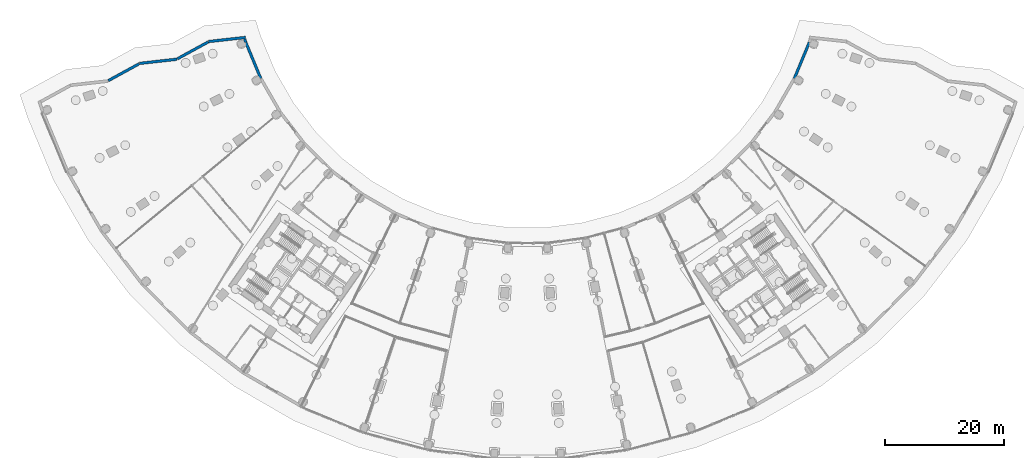
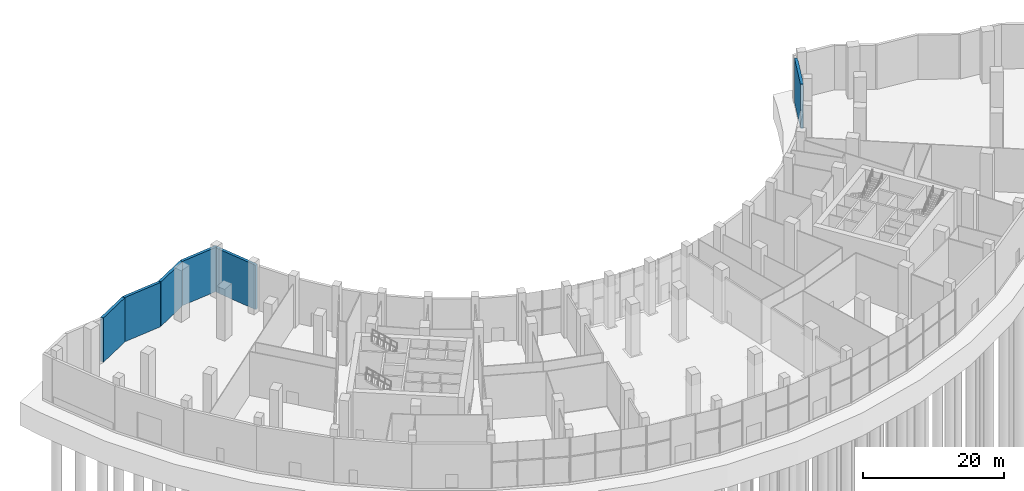
# One storey, part 11 of 23: 7 walls.
"""IFC4 building model written with IfcOpenShell, lengths in metres."""

from ifc_helpers import new_model, si_unit, direction, frame, frame_2d, origin, place, context, subcontext, project, spatial, rectangle, extrude, material, layer, layer_set, type_object, element, save


model = new_model("IFC4")

# Units and contexts
model_context = context("Model", 3, precision=1e-05, world=origin(), true_north=direction((0.0, 1.0)))
body_context = subcontext(model_context, "Body", "Model", "MODEL_VIEW")
ifc_project = project(units=[si_unit("LENGTHUNIT", "METRE"), si_unit("AREAUNIT", "SQUARE_METRE"), si_unit("VOLUMEUNIT", "CUBIC_METRE"), si_unit("PLANEANGLEUNIT", "RADIAN"), si_unit("MASSUNIT", "GRAM", prefix="KILO")], contexts=[model_context])

# Site, building, storey
site_placement = place(None, origin())
site = spatial("IfcSite", under=ifc_project, at=site_placement, CompositionType="ELEMENT")
building_placement = place(site_placement, origin())
building = spatial("IfcBuilding", under=site, at=building_placement, Name="Qamariyya Broadcast Tower", CompositionType="ELEMENT")
storey_placement = place(building_placement, origin())
storey = spatial("IfcBuildingStorey", under=building, at=storey_placement, Name="L00", CompositionType="ELEMENT", Elevation=0.0)

# Walls
ifc_material = material(Name="Precast concrete C40/50 with terracotta facing", Category="masonry")
ifc_layer = layer(ifc_material, 0.449951171875)
ifc_layer_set = layer_set([ifc_layer], Name="Precast concrete C40/50 wall 450, terracotta faced")
wall_type = type_object("IfcWallType", Name="Precast concrete C40/50 wall 450, terracotta faced", PredefinedType="SOLIDWALL", material=ifc_layer_set)
wall_1_placement = place(storey_placement, frame((-47.37255859375, -15.220947265625, 0.0), z_axis=(0.0, 0.0, 1.0), x_axis=(-0.993827533543, -0.110936168908, 0.0)))
element("IfcWall", 1, at=wall_1_placement, inside=storey, type_object=wall_type, Name="e-wl-L00-capW0", PredefinedType="SOLIDWALL", context=body_context, shape_type="SweptSolid", body=[
    extrude(rectangle(XDim=6.265380859375, YDim=0.449951171875, at=frame_2d((3.1328125, 0.0))), origin(), (0.0, 0.0, 1.0), 7.699951171875),
])
wall_2_placement = place(storey_placement, frame((-53.65869140625, -15.9853515625, 0.0), z_axis=(0.0, 0.0, 1.0), x_axis=(-0.87728135657, -0.479976480064, 0.0)))
element("IfcWall", 2, at=wall_2_placement, inside=storey, type_object=wall_type, Name="e-wl-L00-capW1", PredefinedType="SOLIDWALL", context=body_context, shape_type="SweptSolid", body=[
    extrude(rectangle(XDim=5.885498046875, YDim=0.449951171875, at=frame_2d((2.94287109375, 0.0))), origin(), (0.0, 0.0, 1.0), 7.699951171875),
])
wall_3_placement = place(storey_placement, frame((-58.881103515625, -18.87939453125, 0.0), z_axis=(0.0, 0.0, 1.0), x_axis=(-0.993818963433, -0.111012917816, 0.0)))
element("IfcWall", 3, at=wall_3_placement, inside=storey, type_object=wall_type, Name="e-wl-L00-capW2", PredefinedType="SOLIDWALL", context=body_context, shape_type="SweptSolid", body=[
    extrude(rectangle(XDim=6.360107421875, YDim=0.449951171875, at=frame_2d((3.18017578125, 0.0))), origin(), (0.0, 0.0, 1.0), 7.699951171875),
])
wall_4_placement = place(storey_placement, frame((-65.26123046875, -19.654541015625, 0.0), z_axis=(0.0, 0.0, 1.0), x_axis=(-0.877230259454, -0.480069861477, 0.0)))
element("IfcWall", 4, at=wall_4_placement, inside=storey, type_object=wall_type, Name="e-wl-L00-capW3", PredefinedType="SOLIDWALL", context=body_context, shape_type="SweptSolid", body=[
    extrude(rectangle(XDim=5.883544921875, YDim=0.449951171875, at=frame_2d((2.94189453125, 0.0))), origin(), (0.0, 0.0, 1.0), 7.699951171875),
])
wall_5_placement = place(storey_placement, frame((-47.330810546875, -16.03955078125, 0.0), z_axis=(0.0, 0.0, 1.0), x_axis=(-0.311474670585, 0.950254455177, 0.0)))
element("IfcWall", 5, at=wall_5_placement, inside=storey, type_object=wall_type, Name="e-wl-L00-in00", PredefinedType="SOLIDWALL", context=body_context, shape_type="SweptSolid", body=[
    extrude(rectangle(XDim=0.570556640625, YDim=0.449951171875, at=frame_2d((0.28515625, 0.0))), origin(), (0.0, 0.0, 1.0), 7.699951171875),
])
for number, where, z_axis, x_axis, name in (
    (6, (-44.81005859375, -22.13134765625, 0.0), (0.0, 0.0, 1.0), (-0.382692796414, 0.92387565374, 0.0), "e-wl-L00-in10"),
    (7, (47.32666015625, -16.055908203125, 0.0), (0.0, 0.0, 1.0), (-0.382692796414, -0.92387565374, 0.0), "e-wl-L00-in190"),
):
    element("IfcWall", number, at=place(storey_placement, frame(where, z_axis=z_axis, x_axis=x_axis)), inside=storey, type_object=wall_type, Name=name, PredefinedType="SOLIDWALL", context=body_context, shape_type="SweptSolid", body=[
        extrude(rectangle(XDim=6.575927734375, YDim=0.449951171875, at=frame_2d((3.2880859375, 0.0))), origin(), (0.0, 0.0, 1.0), 7.699951171875),
    ])

save(model, "model.ifc")
